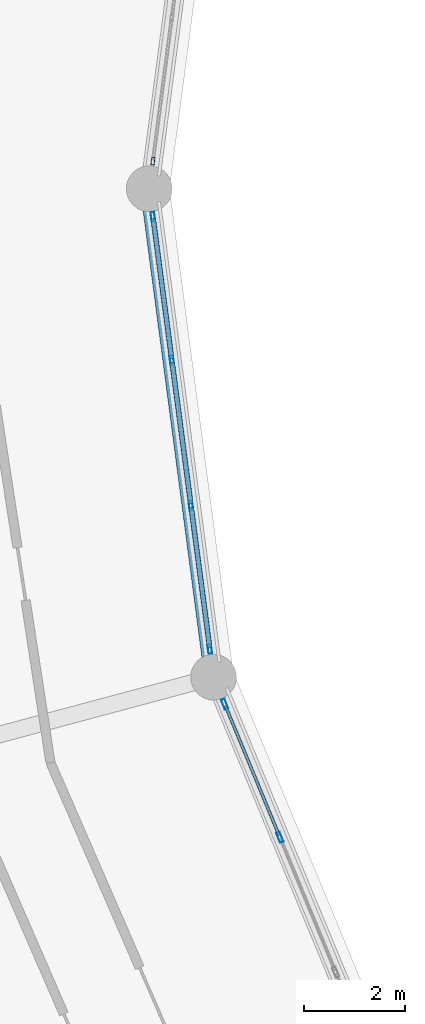
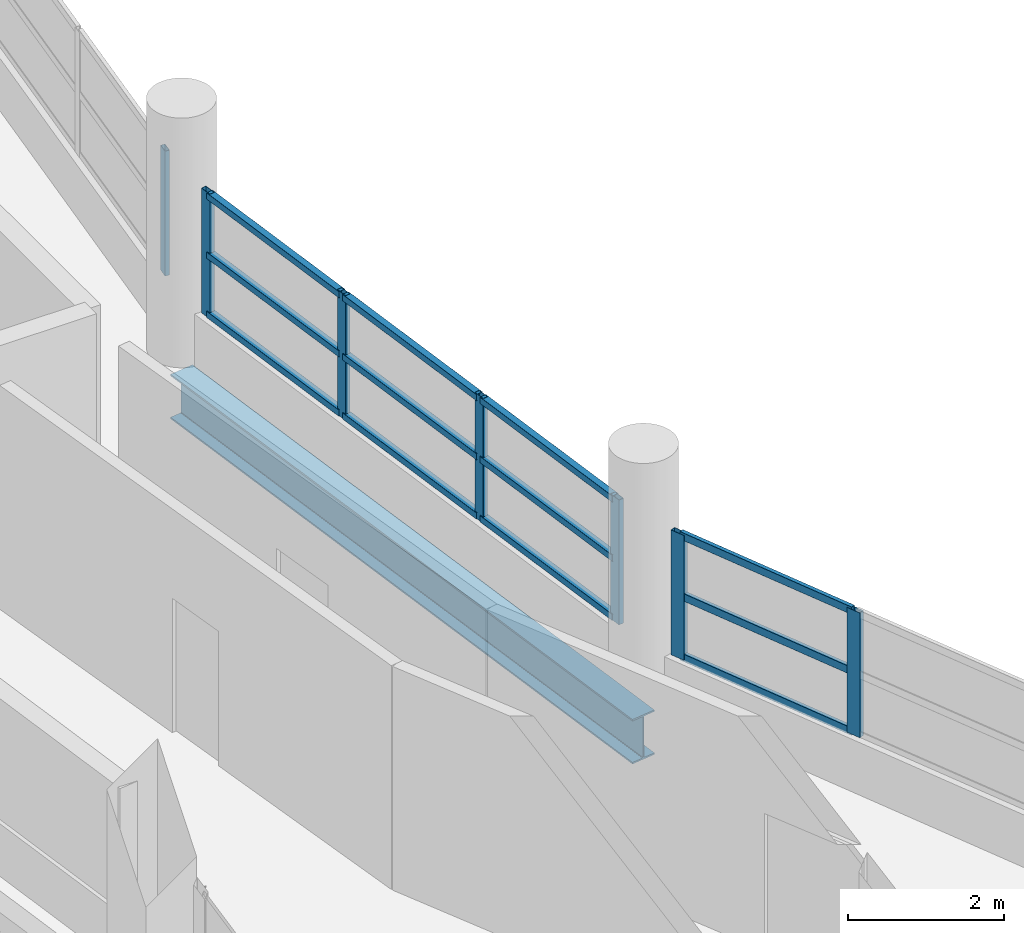
# One storey, part 25 of 121: 19 members, 1 beam, 3 elements without a shape of their own.
"""IFC4 building model written with IfcOpenShell, lengths in metres."""

from ifc_helpers import new_model, si_unit, direction, frame, origin, origin_2d, place, context, subcontext, project, spatial, hollow_rectangle, i_section, extrude, material, layer, layer_set, material_profile, profile_set, type_object, element, aggregate, save


model = new_model("IFC4")

# Units and contexts
model_context = context("Model", 3, precision=1e-05, world=origin(), true_north=direction((0.0, 1.0)))
body_context = subcontext(model_context, "Body", "Model", "MODEL_VIEW")
ifc_project = project(units=[si_unit("LENGTHUNIT", "METRE"), si_unit("AREAUNIT", "SQUARE_METRE"), si_unit("VOLUMEUNIT", "CUBIC_METRE"), si_unit("PLANEANGLEUNIT", "RADIAN"), si_unit("MASSUNIT", "GRAM", prefix="KILO")], contexts=[model_context])

# Site, building, storey
site_placement = place(None, origin())
site = spatial("IfcSite", under=ifc_project, at=site_placement, CompositionType="ELEMENT")
building_placement = place(site_placement, origin())
building = spatial("IfcBuilding", under=site, at=building_placement, Name="Vespera Passage Community Centre", CompositionType="ELEMENT")
storey_placement = place(building_placement, frame((0.0, 0.0, 8.699951171875)))
storey = spatial("IfcBuildingStorey", under=building, at=storey_placement, Name="L02", CompositionType="ELEMENT", Elevation=8.699951171875)

# Beam
ifc_material_1 = material(Name="Steel ASTM A992 Grade 50", Category="steel")
ifc_material_profile_1 = material_profile(ifc_material_1, i_section(OverallWidth=0.3544921875, OverallDepth=0.695556640625, WebThickness=0.015380859375, FlangeThickness=0.024658203125, FilletRadius=0.01513671875, at=origin_2d()), Name="W27X146")
ifc_profile_set_1 = profile_set([ifc_material_profile_1], Name="Steel ASTM A992 Grade 50")
beam_type = type_object("IfcBeamType", Name="BM-SP-W27X146E", PredefinedType="SPANDREL", material=ifc_profile_set_1)
beam_placement = place(storey_placement, frame((40.800048828125, 65.5, -0.687744140625), z_axis=(0.130526697639, -0.991444794834, 0.0), x_axis=(0.991444794834, 0.130526697639, 0.0)))
element("IfcBeam", 1, at=beam_placement, inside=storey, type_object=beam_type, Name="V4 L02 Inner Spandrel 12", PredefinedType="SPANDREL", context=body_context, shape_type="SweptSolid", body=[
    extrude(i_section(OverallWidth=0.3544921875, OverallDepth=0.695556640625, WebThickness=0.015380859375, FlangeThickness=0.024658203125, FilletRadius=0.01513671875, at=origin_2d()), origin(), (0.0, 0.0, 1.0), 9.711181640625),
])

# Curtain wall, member
ifc_material_2 = material(Name="Anodized aluminium 6063-T6", Category="aluminium")
ifc_layer_1 = layer(ifc_material_2, 0.159912109375)
ifc_layer_set_1 = layer_set([ifc_layer_1], Name="Anodized aluminium 6063-T6")
curtain_wall_type_1 = type_object("IfcCurtainWallType", Name="CW-27E", PredefinedType="NOTDEFINED", material=ifc_layer_set_1)
curtain_wall_1_placement = place(storey_placement, origin())
curtain_wall_1 = element("IfcCurtainWall", 2, at=curtain_wall_1_placement, inside=storey, type_object=curtain_wall_type_1, Name="V4 L02 Inner Court Curtain Wall 11", PredefinedType="NOTDEFINED")
ifc_material_3 = material(Name="Anodized aluminium 6063-T6", Category="aluminium")
ifc_material_profile_2 = material_profile(ifc_material_3, hollow_rectangle(XDim=0.06494140625, YDim=0.14990234375, WallThickness=0.00390625, InnerFilletRadius=0.001953125, OuterFilletRadius=0.00390625, at=origin_2d()), Name="ALU150X65X4")
ifc_profile_set_2 = profile_set([ifc_material_profile_2], Name="Anodized aluminium 6063-T6")
member_type_1 = type_object("IfcMemberType", Name="MB-CWM-150E", PredefinedType="MULLION", material=ifc_profile_set_2)
member_1_placement = place(storey_placement, frame((40.871826171875, 66.04541015625, 0.820068359375), z_axis=(0.0, 0.0, 1.0), x_axis=(0.991445387728, -0.1305221941, 0.0)))
member_1 = element("IfcMember", 3, at=member_1_placement, type_object=member_type_1, Name="CW-27E mullion 4", PredefinedType="MULLION", context=body_context, shape_type="SweptSolid", body=[
    extrude(hollow_rectangle(XDim=0.06494140625, YDim=0.14990234375, WallThickness=0.00390625, InnerFilletRadius=0.001953125, OuterFilletRadius=0.00390625, at=origin_2d()), origin(), (0.0, 0.0, 1.0), 1.949462890625),
])
aggregate(curtain_wall_1, [member_1])

# Curtain wall, members
ifc_material_4 = material(Name="Anodized aluminium 6063-T6", Category="aluminium")
ifc_layer_2 = layer(ifc_material_4, 0.159912109375)
ifc_layer_set_2 = layer_set([ifc_layer_2], Name="Anodized aluminium 6063-T6")
curtain_wall_type_2 = type_object("IfcCurtainWallType", Name="CW-34E", PredefinedType="NOTDEFINED", material=ifc_layer_set_2)
curtain_wall_2_placement = place(storey_placement, origin())
curtain_wall_2 = element("IfcCurtainWall", 4, at=curtain_wall_2_placement, inside=storey, type_object=curtain_wall_type_2, Name="V4 L02 Inner Court Curtain Wall 12", PredefinedType="NOTDEFINED")
ifc_material_5 = material(Name="Anodized aluminium 6063-T6", Category="aluminium")
ifc_material_profile_3 = material_profile(ifc_material_5, hollow_rectangle(XDim=0.074951171875, YDim=0.179931640625, WallThickness=0.0048828125, InnerFilletRadius=0.00244140625, OuterFilletRadius=0.0048828125, at=origin_2d()), Name="ALU180X75X5")
ifc_profile_set_3 = profile_set([ifc_material_profile_3], Name="Anodized aluminium 6063-T6")
member_type_2 = type_object("IfcMemberType", Name="MB-CWM-180E", PredefinedType="MULLION", material=ifc_profile_set_3)
member_2_placement = place(storey_placement, frame((40.87255859375, 64.94970703125, 0.820068359375), z_axis=(0.0, 0.0, 1.0), x_axis=(0.991445387728, 0.1305221941, 0.0)))
member_2 = element("IfcMember", 5, at=member_2_placement, type_object=member_type_2, Name="CW-34E mullion 1", PredefinedType="MULLION", context=body_context, shape_type="SweptSolid", body=[
    extrude(hollow_rectangle(XDim=0.074951171875, YDim=0.179931640625, WallThickness=0.0048828125, InnerFilletRadius=0.00244140625, OuterFilletRadius=0.0048828125, at=origin_2d()), origin(), (0.0, 0.0, 1.0), 1.949462890625),
])
member_3_placement = place(storey_placement, frame((41.2451171875, 62.11962890625, 0.820068359375), z_axis=(0.0, 0.0, 1.0), x_axis=(0.991445387728, 0.1305221941, 0.0)))
member_3 = element("IfcMember", 6, at=member_3_placement, type_object=member_type_2, Name="CW-34E mullion 2", PredefinedType="MULLION", context=body_context, shape_type="SweptSolid", body=[
    extrude(hollow_rectangle(XDim=0.074951171875, YDim=0.179931640625, WallThickness=0.0048828125, InnerFilletRadius=0.00244140625, OuterFilletRadius=0.0048828125, at=origin_2d()), origin(), (0.0, 0.0, 1.0), 1.949462890625),
])
member_4_placement = place(storey_placement, frame((41.62255859375, 59.25244140625, 0.820068359375), z_axis=(0.0, 0.0, 1.0), x_axis=(0.991445387728, 0.1305221941, 0.0)))
member_4 = element("IfcMember", 7, at=member_4_placement, type_object=member_type_2, Name="CW-34E mullion 3", PredefinedType="MULLION", context=body_context, shape_type="SweptSolid", body=[
    extrude(hollow_rectangle(XDim=0.074951171875, YDim=0.179931640625, WallThickness=0.0048828125, InnerFilletRadius=0.00244140625, OuterFilletRadius=0.0048828125, at=origin_2d()), origin(), (0.0, 0.0, 1.0), 1.949462890625),
])
member_5_placement = place(storey_placement, frame((41.9951171875, 56.42236328125, 0.820068359375), z_axis=(0.0, 0.0, 1.0), x_axis=(0.991445387728, 0.1305221941, 0.0)))
member_5 = element("IfcMember", 8, at=member_5_placement, type_object=member_type_2, Name="CW-34E mullion 4", PredefinedType="MULLION", context=body_context, shape_type="SweptSolid", body=[
    extrude(hollow_rectangle(XDim=0.074951171875, YDim=0.179931640625, WallThickness=0.0048828125, InnerFilletRadius=0.00244140625, OuterFilletRadius=0.0048828125, at=origin_2d()), origin(), (0.0, 0.0, 1.0), 1.949462890625),
])

ifc_material_6 = material(Name="Anodized aluminium 6063-T6", Category="aluminium")
ifc_layer_3 = layer(ifc_material_6, 0.159912109375)
ifc_layer_set_3 = layer_set([ifc_layer_3], Name="Anodized aluminium 6063-T6")
curtain_wall_type_3 = type_object("IfcCurtainWallType", Name="CW-25E", PredefinedType="NOTDEFINED", material=ifc_layer_set_3)
curtain_wall_3_placement = place(storey_placement, origin())
curtain_wall_3 = element("IfcCurtainWall", 9, at=curtain_wall_3_placement, inside=storey, type_object=curtain_wall_type_3, Name="V4 L02 Inner Court Curtain Wall 13", PredefinedType="NOTDEFINED")
ifc_material_7 = material(Name="Anodized aluminium 6063-T6", Category="aluminium")
ifc_material_profile_4 = material_profile(ifc_material_7, hollow_rectangle(XDim=0.074951171875, YDim=0.2099609375, WallThickness=0.0048828125, InnerFilletRadius=0.00244140625, OuterFilletRadius=0.0048828125, at=origin_2d()), Name="ALU210X75X5")
ifc_profile_set_4 = profile_set([ifc_material_profile_4], Name="Anodized aluminium 6063-T6")
member_type_3 = type_object("IfcMemberType", Name="MB-CWM-210E", PredefinedType="MULLION", material=ifc_profile_set_4)
member_6_placement = place(storey_placement, frame((42.288330078125, 55.338623046875, 0.820068359375), z_axis=(0.0, 0.0, 1.0), x_axis=(0.923876620096, 0.382690463482, 0.0)))
member_6 = element("IfcMember", 10, at=member_6_placement, type_object=member_type_3, Name="CW-25E mullion 1", PredefinedType="MULLION", context=body_context, shape_type="SweptSolid", body=[
    extrude(hollow_rectangle(XDim=0.074951171875, YDim=0.2099609375, WallThickness=0.0048828125, InnerFilletRadius=0.00244140625, OuterFilletRadius=0.0048828125, at=origin_2d()), origin(), (0.0, 0.0, 1.0), 1.949462890625),
])
member_7_placement = place(storey_placement, frame((43.375244140625, 52.715087890625, 0.820068359375), z_axis=(0.0, 0.0, 1.0), x_axis=(0.923876620096, 0.382690463482, 0.0)))
member_7 = element("IfcMember", 11, at=member_7_placement, type_object=member_type_3, Name="CW-25E mullion 2", PredefinedType="MULLION", context=body_context, shape_type="SweptSolid", body=[
    extrude(hollow_rectangle(XDim=0.074951171875, YDim=0.2099609375, WallThickness=0.0048828125, InnerFilletRadius=0.00244140625, OuterFilletRadius=0.0048828125, at=origin_2d()), origin(), (0.0, 0.0, 1.0), 1.949462890625),
])

# Member
ifc_material_8 = material(Name="Anodized aluminium 6063-T6", Category="aluminium")
ifc_material_profile_5 = material_profile(ifc_material_8, hollow_rectangle(XDim=0.10009765625, YDim=0.10009765625, WallThickness=0.00390625, InnerFilletRadius=0.001953125, OuterFilletRadius=0.00390625, at=origin_2d()), Name="ALU100X100X4")
ifc_profile_set_5 = profile_set([ifc_material_profile_5], Name="Anodized aluminium 6063-T6")
member_type_4 = type_object("IfcMemberType", Name="MB-CWT-100E", PredefinedType="USERDEFINED", material=ifc_profile_set_5)
member_8_placement = place(storey_placement, frame((40.87744140625, 64.912353515625, 0.8701171875), z_axis=(0.130529495678, -0.99144442646, 0.0), x_axis=(0.99144442646, 0.130529495678, 0.0)))
member_8 = element("IfcMember", 12, at=member_8_placement, type_object=member_type_4, Name="CW-34E transom 1.1", ObjectType="TRANSOM", PredefinedType="USERDEFINED", context=body_context, shape_type="SweptSolid", body=[
    extrude(hollow_rectangle(XDim=0.10009765625, YDim=0.10009765625, WallThickness=0.00390625, InnerFilletRadius=0.001953125, OuterFilletRadius=0.00390625, at=origin_2d()), origin(), (0.0, 0.0, 1.0), 2.779296875),
])

member_9_placement = place(storey_placement, frame((40.87744140625, 64.912353515625, 1.794677734375), z_axis=(0.130529495678, -0.99144442646, 0.0), x_axis=(0.99144442646, 0.130529495678, 0.0)))
member_9 = element("IfcMember", 13, at=member_9_placement, type_object=member_type_4, Name="CW-34E transom 1.2", ObjectType="TRANSOM", PredefinedType="USERDEFINED", context=body_context, shape_type="SweptSolid", body=[
    extrude(hollow_rectangle(XDim=0.10009765625, YDim=0.10009765625, WallThickness=0.00390625, InnerFilletRadius=0.001953125, OuterFilletRadius=0.00390625, at=origin_2d()), origin(), (0.0, 0.0, 1.0), 2.779296875),
])

member_10_placement = place(storey_placement, frame((40.87744140625, 64.912353515625, 2.719482421875), z_axis=(0.130529495678, -0.99144442646, 0.0), x_axis=(0.99144442646, 0.130529495678, 0.0)))
member_10 = element("IfcMember", 14, at=member_10_placement, type_object=member_type_4, Name="CW-34E transom 1.3", ObjectType="TRANSOM", PredefinedType="USERDEFINED", context=body_context, shape_type="SweptSolid", body=[
    extrude(hollow_rectangle(XDim=0.10009765625, YDim=0.10009765625, WallThickness=0.00390625, InnerFilletRadius=0.001953125, OuterFilletRadius=0.00390625, at=origin_2d()), origin(), (0.0, 0.0, 1.0), 2.779296875),
])

member_11_placement = place(storey_placement, frame((41.25, 62.082275390625, 0.8701171875), z_axis=(0.130528499327, -0.991444557635, 0.0), x_axis=(0.991444557635, 0.130528499327, 0.0)))
member_11 = element("IfcMember", 15, at=member_11_placement, type_object=member_type_4, Name="CW-34E transom 2.1", ObjectType="TRANSOM", PredefinedType="USERDEFINED", context=body_context, shape_type="SweptSolid", body=[
    extrude(hollow_rectangle(XDim=0.10009765625, YDim=0.10009765625, WallThickness=0.00390625, InnerFilletRadius=0.001953125, OuterFilletRadius=0.00390625, at=origin_2d()), origin(), (0.0, 0.0, 1.0), 2.81689453125),
])

member_12_placement = place(storey_placement, frame((41.25, 62.082275390625, 1.794677734375), z_axis=(0.130528499327, -0.991444557635, 0.0), x_axis=(0.991444557635, 0.130528499327, 0.0)))
member_12 = element("IfcMember", 16, at=member_12_placement, type_object=member_type_4, Name="CW-34E transom 2.2", ObjectType="TRANSOM", PredefinedType="USERDEFINED", context=body_context, shape_type="SweptSolid", body=[
    extrude(hollow_rectangle(XDim=0.10009765625, YDim=0.10009765625, WallThickness=0.00390625, InnerFilletRadius=0.001953125, OuterFilletRadius=0.00390625, at=origin_2d()), origin(), (0.0, 0.0, 1.0), 2.81689453125),
])

member_13_placement = place(storey_placement, frame((41.25, 62.082275390625, 2.719482421875), z_axis=(0.130528499327, -0.991444557635, 0.0), x_axis=(0.991444557635, 0.130528499327, 0.0)))
member_13 = element("IfcMember", 17, at=member_13_placement, type_object=member_type_4, Name="CW-34E transom 2.3", ObjectType="TRANSOM", PredefinedType="USERDEFINED", context=body_context, shape_type="SweptSolid", body=[
    extrude(hollow_rectangle(XDim=0.10009765625, YDim=0.10009765625, WallThickness=0.00390625, InnerFilletRadius=0.001953125, OuterFilletRadius=0.00390625, at=origin_2d()), origin(), (0.0, 0.0, 1.0), 2.81689453125),
])

member_14_placement = place(storey_placement, frame((41.62744140625, 59.215087890625, 0.8701171875), z_axis=(0.130529495678, -0.99144442646, 0.0), x_axis=(0.99144442646, 0.130529495678, 0.0)))
member_14 = element("IfcMember", 18, at=member_14_placement, type_object=member_type_4, Name="CW-34E transom 3.1", ObjectType="TRANSOM", PredefinedType="USERDEFINED", context=body_context, shape_type="SweptSolid", body=[
    extrude(hollow_rectangle(XDim=0.10009765625, YDim=0.10009765625, WallThickness=0.00390625, InnerFilletRadius=0.001953125, OuterFilletRadius=0.00390625, at=origin_2d()), origin(), (0.0, 0.0, 1.0), 2.779296875),
])

member_15_placement = place(storey_placement, frame((41.62744140625, 59.215087890625, 1.794677734375), z_axis=(0.130529495678, -0.99144442646, 0.0), x_axis=(0.99144442646, 0.130529495678, 0.0)))
member_15 = element("IfcMember", 19, at=member_15_placement, type_object=member_type_4, Name="CW-34E transom 3.2", ObjectType="TRANSOM", PredefinedType="USERDEFINED", context=body_context, shape_type="SweptSolid", body=[
    extrude(hollow_rectangle(XDim=0.10009765625, YDim=0.10009765625, WallThickness=0.00390625, InnerFilletRadius=0.001953125, OuterFilletRadius=0.00390625, at=origin_2d()), origin(), (0.0, 0.0, 1.0), 2.779296875),
])

member_16_placement = place(storey_placement, frame((41.62744140625, 59.215087890625, 2.719482421875), z_axis=(0.130529495678, -0.99144442646, 0.0), x_axis=(0.99144442646, 0.130529495678, 0.0)))
member_16 = element("IfcMember", 20, at=member_16_placement, type_object=member_type_4, Name="CW-34E transom 3.3", ObjectType="TRANSOM", PredefinedType="USERDEFINED", context=body_context, shape_type="SweptSolid", body=[
    extrude(hollow_rectangle(XDim=0.10009765625, YDim=0.10009765625, WallThickness=0.00390625, InnerFilletRadius=0.001953125, OuterFilletRadius=0.00390625, at=origin_2d()), origin(), (0.0, 0.0, 1.0), 2.779296875),
])

aggregate(curtain_wall_2, [member_2, member_3, member_4, member_5, member_8, member_9, member_10, member_11, member_12, member_13, member_14, member_15, member_16])

ifc_material_9 = material(Name="Anodized aluminium 6063-T6", Category="aluminium")
ifc_material_profile_6 = material_profile(ifc_material_9, hollow_rectangle(XDim=0.06005859375, YDim=0.1201171875, WallThickness=0.00390625, InnerFilletRadius=0.001953125, OuterFilletRadius=0.00390625, at=origin_2d()), Name="ALU120X60X4")
ifc_profile_set_6 = profile_set([ifc_material_profile_6], Name="Anodized aluminium 6063-T6")
member_type_5 = type_object("IfcMemberType", Name="MB-CWT-120E", PredefinedType="USERDEFINED", material=ifc_profile_set_6)
member_17_placement = place(storey_placement, frame((42.302734375, 55.303955078125, 0.85009765625), z_axis=(0.382720946689, -0.923863992677, 0.0), x_axis=(0.923863992677, 0.382720946689, 0.0)))
member_17 = element("IfcMember", 21, at=member_17_placement, type_object=member_type_5, Name="CW-25E transom 1.1", ObjectType="TRANSOM", PredefinedType="USERDEFINED", context=body_context, shape_type="SweptSolid", body=[
    extrude(hollow_rectangle(XDim=0.06005859375, YDim=0.1201171875, WallThickness=0.00390625, InnerFilletRadius=0.001953125, OuterFilletRadius=0.00390625, at=origin_2d()), origin(), (0.0, 0.0, 1.0), 2.7646484375),
])

member_18_placement = place(storey_placement, frame((42.302734375, 55.303955078125, 1.794677734375), z_axis=(0.382720946689, -0.923863992677, 0.0), x_axis=(0.923863992677, 0.382720946689, 0.0)))
member_18 = element("IfcMember", 22, at=member_18_placement, type_object=member_type_5, Name="CW-25E transom 1.2", ObjectType="TRANSOM", PredefinedType="USERDEFINED", context=body_context, shape_type="SweptSolid", body=[
    extrude(hollow_rectangle(XDim=0.06005859375, YDim=0.1201171875, WallThickness=0.00390625, InnerFilletRadius=0.001953125, OuterFilletRadius=0.00390625, at=origin_2d()), origin(), (0.0, 0.0, 1.0), 2.7646484375),
])

member_19_placement = place(storey_placement, frame((42.302734375, 55.303955078125, 2.739501953125), z_axis=(0.382720946689, -0.923863992677, 0.0), x_axis=(0.923863992677, 0.382720946689, 0.0)))
member_19 = element("IfcMember", 23, at=member_19_placement, type_object=member_type_5, Name="CW-25E transom 1.3", ObjectType="TRANSOM", PredefinedType="USERDEFINED", context=body_context, shape_type="SweptSolid", body=[
    extrude(hollow_rectangle(XDim=0.06005859375, YDim=0.1201171875, WallThickness=0.00390625, InnerFilletRadius=0.001953125, OuterFilletRadius=0.00390625, at=origin_2d()), origin(), (0.0, 0.0, 1.0), 2.7646484375),
])

aggregate(curtain_wall_3, [member_6, member_7, member_17, member_18, member_19])

save(model, "model.ifc")
